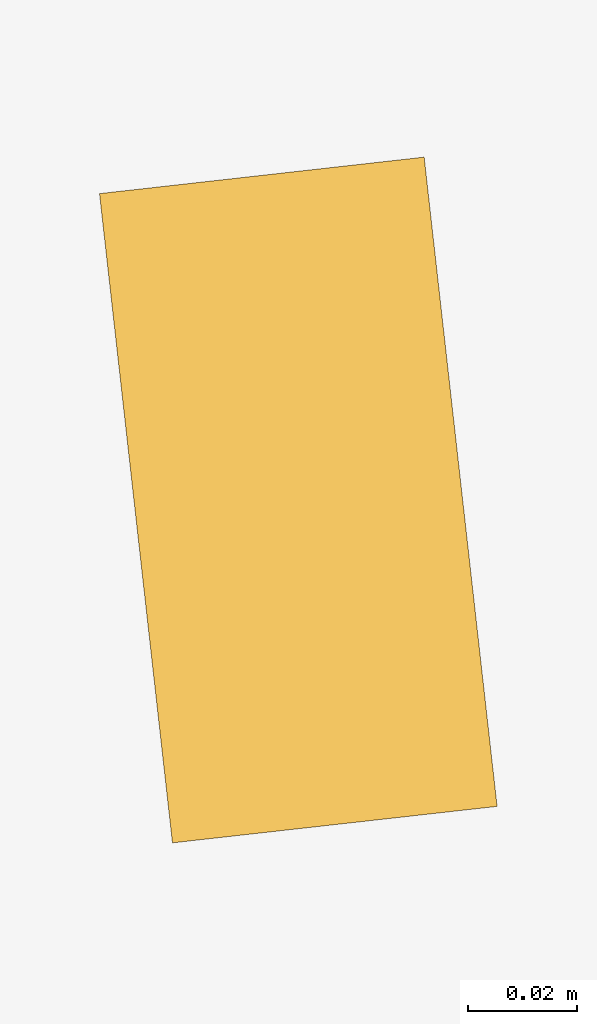
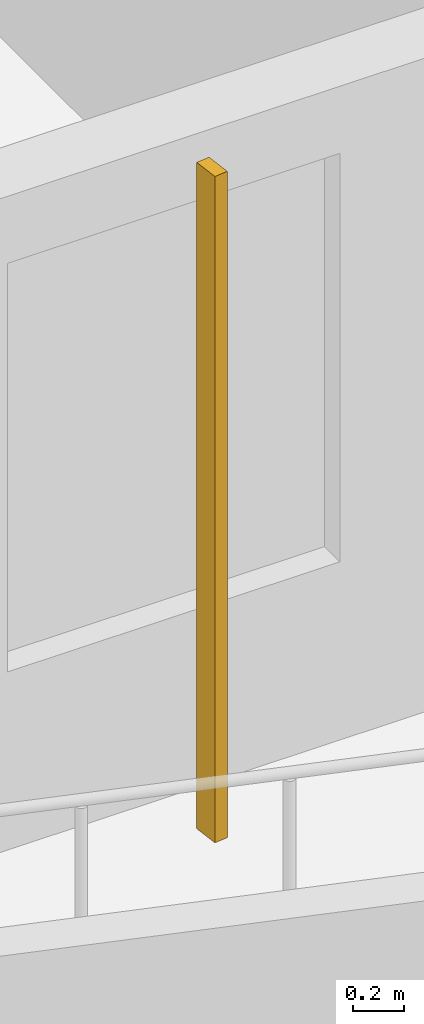
# One storey, part 15 of 22: 1 shading device.
"""IFC4 building model written with IfcOpenShell, lengths in metres."""

from ifc_helpers import new_model, si_unit, direction, frame, origin, origin_2d, place, context, subcontext, project, spatial, rectangle, extrude, source, transform, mapped, material, material_profile, profile_set, type_object, element, save


model = new_model("IFC4")

# Units and contexts
model_context = context("Model", 3, precision=1e-05, world=origin(), true_north=direction((0.0, 1.0)))
body_context = subcontext(model_context, "Body", "Model", "MODEL_VIEW")
ifc_project = project(units=[si_unit("LENGTHUNIT", "METRE"), si_unit("AREAUNIT", "SQUARE_METRE"), si_unit("VOLUMEUNIT", "CUBIC_METRE"), si_unit("PLANEANGLEUNIT", "RADIAN"), si_unit("MASSUNIT", "GRAM", prefix="KILO")], contexts=[model_context])

# Site, building, storey
site_placement = place(None, origin())
site = spatial("IfcSite", under=ifc_project, at=site_placement, CompositionType="ELEMENT")
building_placement = place(site_placement, origin())
building = spatial("IfcBuilding", under=site, at=building_placement, Name="Kilnfold Tower and Market Hall", CompositionType="ELEMENT")
storey_placement = place(building_placement, frame((0.0, 0.0, 188.89990234375)))
storey = spatial("IfcBuildingStorey", under=building, at=storey_placement, Name="L45", CompositionType="ELEMENT", Elevation=188.89990234375)

# Shading device
ifc_material = material(Name="Terracotta", Category="masonry")
ifc_material_profile = material_profile(ifc_material, rectangle(XDim=0.06005859375, YDim=0.1201171875, at=origin_2d()), Name="BAG 60x120")
ifc_profile_set = profile_set([ifc_material_profile], Name="Terracotta")
shading_device_type = type_object("IfcShadingDeviceType", Name="BAGUETTE", PredefinedType="USERDEFINED", material=ifc_profile_set)
shared_shape = source(origin(), body_context, "Body", "SweptSolid", [
    extrude(rectangle(XDim=0.06005859375, YDim=0.1201171875, at=origin_2d()), origin(), (0.0, 0.0, 1.0), 3.18017578125),
])
shading_device_placement = place(storey_placement, frame((4.4873046875, -26.550048828125, 0.0), z_axis=(0.0, 0.0, 1.0), x_axis=(0.993745720791, 0.111666657552, 0.0)))
element("IfcShadingDevice", 1, at=shading_device_placement, inside=storey, type_object=shading_device_type, Name="Terracotta baguette L45 S", ObjectType="BAGUETTE", PredefinedType="USERDEFINED", context=body_context, shape_type="MappedRepresentation", body=[
    mapped(shared_shape, transform((0.0, 0.0, 0.0))),
])

save(model, "model.ifc")
